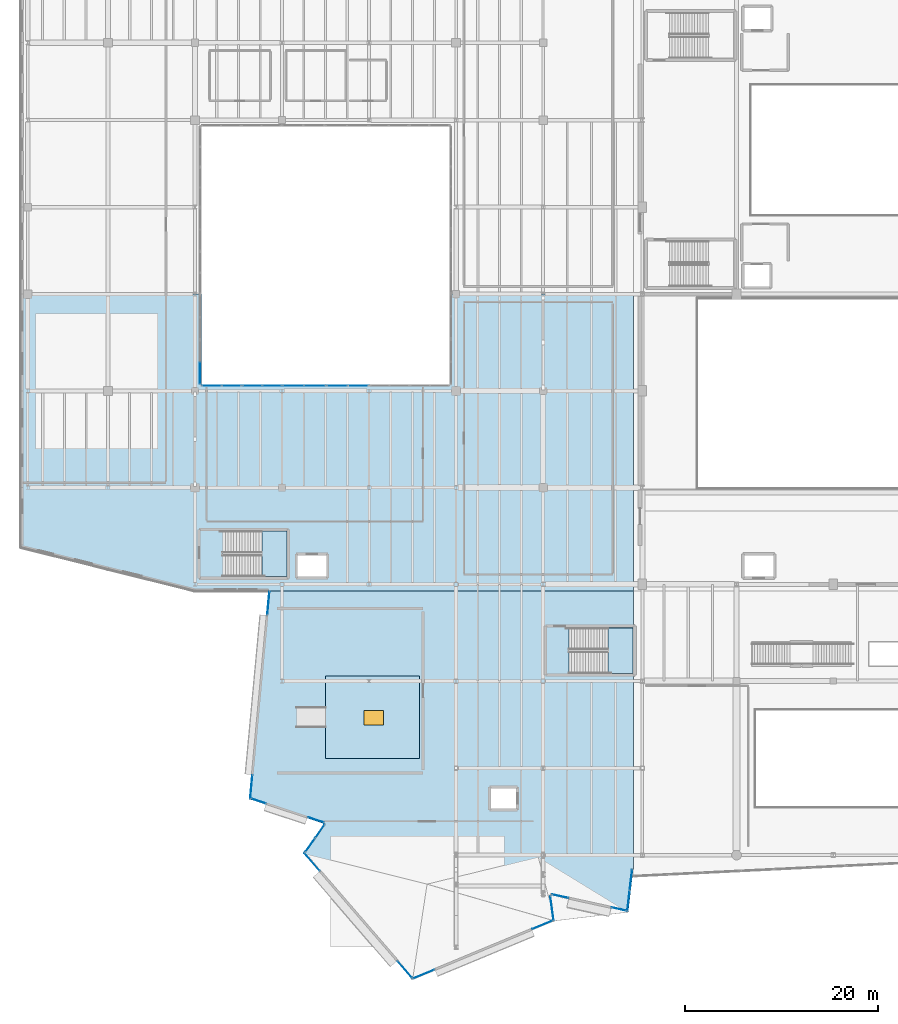
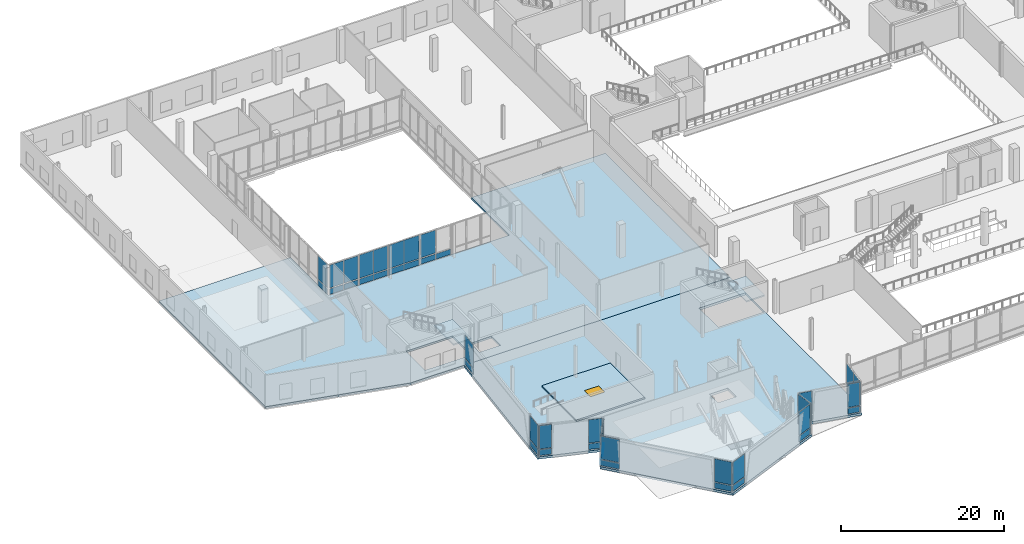
# One storey, part 46 of 73: 47 plates, 5 slabs, 1 door, 1 opening, 20 elements without a shape of their own.
"""IFC4 building model written with IfcOpenShell, lengths in metres."""

import ifcopenshell
import ifcopenshell.guid

model = None  # the IFC model being written
_history = None  # IfcOwnerHistory: only IFC2X3 demands one
_inside = {}  # id of a spatial element -> (the spatial element, [elements in it])
_under = {}  # id of a project, library or spatial element -> (it, [spatial elements below it])
_declared = {}  # id of a project -> (the project, [libraries it declares])
_typed = {}  # id of a type object -> (the type object, [elements of that type])
_made_of = {}  # id of a material, layer set ... -> (it, [elements and type objects made of it])


def new_model(schema):
    """Start an empty IFC model of exactly this schema.

    Asked for "IFC4X3", IfcOpenShell would pick the latest addendum, in which some entities
    have other attributes; the version numbers below select the first issue.
    IFC2X3 requires an IfcOwnerHistory on every rooted entity: one is made here for all.
    """
    global model, _history
    if schema == "IFC4X3":
        model = ifcopenshell.file(schema_version=(4, 3, 0, 0))
    else:
        model = ifcopenshell.file(schema=schema)
    _inside.clear()
    _under.clear()
    _declared.clear()
    _typed.clear()
    _made_of.clear()
    _history = None
    if model.schema == "IFC2X3":
        org = make("IfcOrganization", Name="unknown")
        user = make(
            "IfcPersonAndOrganization",
            ThePerson=make("IfcPerson", FamilyName="unknown"),
            TheOrganization=org,
        )
        app = make(
            "IfcApplication",
            ApplicationDeveloper=org,
            Version="unknown",
            ApplicationFullName="unknown",
            ApplicationIdentifier="unknown",
        )
        _history = make(
            "IfcOwnerHistory",
            OwningUser=user,
            OwningApplication=app,
            ChangeAction="ADDED",
            CreationDate=0,
        )
    return model


def make(cls, **values):
    """One entity of the class cls with the attributes given. An attribute that is None is left unset."""
    return model.create_entity(
        cls, **{name: value for name, value in values.items() if value is not None}
    )


def rooted(cls, **values):
    """An entity with a GlobalId (a new one), such as an element, a storey or a relation."""
    return make(cls, GlobalId=ifcopenshell.guid.new(), OwnerHistory=_history, **values)


def si_unit(unit_type, name, prefix=None):
    """IfcSIUnit, for example si_unit("LENGTHUNIT", "METRE", prefix="MILLI")."""
    return make("IfcSIUnit", UnitType=unit_type, Prefix=prefix, Name=name)


def assignment(units):
    """IfcUnitAssignment: the units of a project."""
    return None if units is None else make("IfcUnitAssignment", Units=units)


def point(xyz):
    """IfcCartesianPoint."""
    return None if xyz is None else make("IfcCartesianPoint", Coordinates=xyz)


def direction(xyz):
    """IfcDirection."""
    return None if xyz is None else make("IfcDirection", DirectionRatios=xyz)


def frame(location, z_axis=None, x_axis=None):
    """IfcAxis2Placement3D, a coordinate frame: its origin and axes. An axis left out is left unset."""
    return make(
        "IfcAxis2Placement3D",
        Location=point(location),
        Axis=direction(z_axis),
        RefDirection=direction(x_axis),
    )


def frame_2d(location, x_axis=None):
    """IfcAxis2Placement2D, a coordinate frame in the plane: its origin and x axis."""
    return make(
        "IfcAxis2Placement2D", Location=point(location), RefDirection=direction(x_axis)
    )


def origin():
    """The frame at (0, 0, 0) with its axes left unset."""
    return frame((0.0, 0.0, 0.0))


def origin_2d():
    """The frame at (0, 0) in the plane with its x axis left unset."""
    return frame_2d((0.0, 0.0))


def place(relative_to, where):
    """IfcLocalPlacement: puts the frame where relative to a parent placement (None: the world)."""
    return make(
        "IfcLocalPlacement", PlacementRelTo=relative_to, RelativePlacement=where
    )


def context(
    kind, dimensions, precision=None, world=None, true_north=None, identifier=None
):
    """IfcGeometricRepresentationContext, for example the 3D "Model" context."""
    return make(
        "IfcGeometricRepresentationContext",
        ContextIdentifier=identifier,
        ContextType=kind,
        CoordinateSpaceDimension=dimensions,
        Precision=precision,
        WorldCoordinateSystem=world,
        TrueNorth=true_north,
    )


def subcontext(parent, identifier, kind, view, scale=None):
    """IfcGeometricRepresentationSubContext, for example "Body" below "Model"."""
    return make(
        "IfcGeometricRepresentationSubContext",
        ContextIdentifier=identifier,
        ContextType=kind,
        ParentContext=parent,
        TargetScale=scale,
        TargetView=view,
    )


def project(units=None, contexts=None):
    """IfcProject with its units and contexts."""
    return rooted(
        "IfcProject",
        Name="project",
        RepresentationContexts=contexts,
        UnitsInContext=assignment(units),
    )


def spatial(cls, under=None, at=None, **own):
    """A site, building, storey or space (cls), placed at a placement, below another one or the project."""
    s = rooted(cls, ObjectPlacement=at, **own)
    if under is not None:
        _under.setdefault(under.id(), (under, []))[1].append(s)
    return s


def polyline(points):
    """IfcPolyline through the points."""
    return make("IfcPolyline", Points=[point(p) for p in points])


def profile(cls, at=None, kind="AREA", **sizes):
    """A parametric profile (cls). Its sizes go by their IFC names, for example OverallWidth=200.0."""
    return make(cls, ProfileType=kind, Position=at, **sizes)


def rectangle(**sizes):
    """IfcRectangleProfileDef."""
    return profile("IfcRectangleProfileDef", **sizes)


def outline(outer, holes=None, kind="AREA"):
    """IfcArbitraryClosedProfileDef: a profile drawn as a closed curve; with holes, ...WithVoids."""
    if holes is None:
        return make("IfcArbitraryClosedProfileDef", ProfileType=kind, OuterCurve=outer)
    return make(
        "IfcArbitraryProfileDefWithVoids",
        ProfileType=kind,
        OuterCurve=outer,
        InnerCurves=holes,
    )


def extrude(swept, where, along, depth):
    """IfcExtrudedAreaSolid: the profile swept, set in the frame where, extruded along a direction by depth."""
    return make(
        "IfcExtrudedAreaSolid",
        SweptArea=swept,
        Position=where,
        ExtrudedDirection=direction(along),
        Depth=depth,
    )


def shape(context_of_items, identifier, shape_type, items):
    """IfcShapeRepresentation: the items that make up one representation, for example the "Body"."""
    return make(
        "IfcShapeRepresentation",
        ContextOfItems=context_of_items,
        RepresentationIdentifier=identifier,
        RepresentationType=shape_type,
        Items=items,
    )


def material(Name=None, Category=None):
    """IfcMaterial."""
    return make("IfcMaterial", Name=Name, Category=Category)


def layer(
    of_material, thickness, ventilated=None, Name=None, Category=None, Priority=None
):
    """IfcMaterialLayer: one layer of a wall or slab, of a material (None: an air gap)."""
    return make(
        "IfcMaterialLayer",
        Material=of_material,
        LayerThickness=thickness,
        IsVentilated=ventilated,
        Name=Name,
        Category=Category,
        Priority=Priority,
    )


def layer_set(layers, Name=None):
    """IfcMaterialLayerSet."""
    return make("IfcMaterialLayerSet", MaterialLayers=layers, LayerSetName=Name)


def made_of(thing, what):
    """Note that an element or type object is made of a material, layer set ...; save() writes the relation."""
    if what is not None:
        _made_of.setdefault(what.id(), (what, []))[1].append(thing)
    return thing


def type_object(cls, material=None, **own):
    """A type object (cls), such as IfcWallType, which elements share."""
    return made_of(rooted(cls, **own), material)


def element(
    cls,
    number,
    at=None,
    inside=None,
    cuts=None,
    type_object=None,
    material=None,
    context=None,
    identifier="Body",
    shape_type=None,
    held_by="IfcProductDefinitionShape",
    body=None,
    shapes=None,
    **own,
):
    """One element of the class cls, such as IfcWall. Its Tag is "e" and its number.

    at: its placement. inside: the storey or other place that contains it. cuts: it is an
    opening in that element (IfcRelVoidsElement). A single representation is given by context,
    identifier, shape_type and body (its items); several are given by shapes. held_by: the class
    of the entity that holds the representations. save() writes the other relations.
    """
    e = rooted(cls, Tag="e%d" % number, ObjectPlacement=at, **own)
    if body is not None:
        shapes = [shape(context, identifier, shape_type, body)]
    if shapes is not None:
        e.Representation = make(held_by, Representations=shapes)
    if inside is not None:
        _inside.setdefault(inside.id(), (inside, []))[1].append(e)
    if cuts is not None:
        rooted(
            "IfcRelVoidsElement", RelatingBuildingElement=cuts, RelatedOpeningElement=e
        )
    if type_object is not None:
        _typed.setdefault(type_object.id(), (type_object, []))[1].append(e)
    return made_of(e, material)


def fill(opening, filler):
    """IfcRelFillsElement: the door or window that sits in an opening."""
    return rooted(
        "IfcRelFillsElement",
        RelatingOpeningElement=opening,
        RelatedBuildingElement=filler,
    )


def aggregate(whole, parts):
    """IfcRelAggregates: a whole, such as a stair, and the parts it consists of."""
    return rooted("IfcRelAggregates", RelatingObject=whole, RelatedObjects=parts)


def save(model, path):
    """Write the relations noted so far, then the file.

    IfcRelAggregates (storeys below a building ...), IfcRelContainedInSpatialStructure (elements
    in a storey), IfcRelDefinesByType, IfcRelAssociatesMaterial and IfcRelDeclares: one each for
    every whole, place, type object, material and project.
    """
    for whole, parts in _under.values():
        aggregate(whole, parts)
    for where, things in _inside.values():
        rooted(
            "IfcRelContainedInSpatialStructure",
            RelatedElements=things,
            RelatingStructure=where,
        )
    for kind, things in _typed.values():
        rooted("IfcRelDefinesByType", RelatedObjects=things, RelatingType=kind)
    for what, things in _made_of.values():
        rooted("IfcRelAssociatesMaterial", RelatedObjects=things, RelatingMaterial=what)
    for by, libraries in _declared.values():
        rooted("IfcRelDeclares", RelatingContext=by, RelatedDefinitions=libraries)
    model.write(path)


model = new_model("IFC4")

# Units and contexts
model_context = context("Model", 3, precision=1e-05, world=origin(), true_north=direction((0.0, 1.0)))
body_context = subcontext(model_context, "Body", "Model", "MODEL_VIEW")
ifc_project = project(units=[si_unit("LENGTHUNIT", "METRE"), si_unit("AREAUNIT", "SQUARE_METRE"), si_unit("VOLUMEUNIT", "CUBIC_METRE"), si_unit("PLANEANGLEUNIT", "RADIAN"), si_unit("MASSUNIT", "GRAM", prefix="KILO")], contexts=[model_context])

# Site, building, storey
site_placement = place(None, origin())
site = spatial("IfcSite", under=ifc_project, at=site_placement, CompositionType="ELEMENT")
building_placement = place(site_placement, origin())
building = spatial("IfcBuilding", under=site, at=building_placement, Name="Trimount Lyric Opera House", CompositionType="ELEMENT")
storey_placement = place(building_placement, frame((0.0, 0.0, 10.0)))
storey = spatial("IfcBuildingStorey", under=building, at=storey_placement, Name="L02", CompositionType="ELEMENT", Elevation=10.0)

# Curtain wall, plates
ifc_material_1 = material(Name="Thermally Broken Aluminium and Low-E Glass", Category="aluminium")
curtain_wall_type_1 = type_object("IfcCurtainWallType", Name="CW-03", PredefinedType="NOTDEFINED", material=ifc_material_1)
curtain_wall_1_placement = place(storey_placement, origin())
curtain_wall_1 = element("IfcCurtainWall", 1, at=curtain_wall_1_placement, inside=storey, type_object=curtain_wall_type_1, Name="L02 curtain wall 198", PredefinedType="NOTDEFINED")
ifc_material_2 = material(Name="Triple Low-E Acoustic Laminated Glass", Category="glass")
ifc_layer_1 = layer(ifc_material_2, 0.035888671875)
ifc_layer_set_1 = layer_set([ifc_layer_1], Name="CWP-01")
plate_type_1 = type_object("IfcPlateType", Name="CWP-01", PredefinedType="CURTAIN_PANEL", material=ifc_layer_set_1)
plate_1_placement = place(storey_placement, frame((19.737548828125, 74.5400390625, 0.159912109375), z_axis=(0.0, 0.0, 1.0), x_axis=(1.0, 0.0, 0.0)))
plate_1 = element("IfcPlate", 2, at=plate_1_placement, type_object=plate_type_1, Name="CW-03 panel 1.1", PredefinedType="CURTAIN_PANEL", context=body_context, shape_type="SweptSolid", body=[
    extrude(rectangle(XDim=1.97509765625, YDim=0.035888671875, at=origin_2d()), origin(), (0.0, 0.0, 1.0), 0.81005859375),
])
plate_2_placement = place(storey_placement, frame((21.782470703125, 74.5400390625, 0.159912109375), z_axis=(0.0, 0.0, 1.0), x_axis=(1.0, 0.0, 0.0)))
plate_2 = element("IfcPlate", 3, at=plate_2_placement, type_object=plate_type_1, Name="CW-03 panel 2.1", PredefinedType="CURTAIN_PANEL", context=body_context, shape_type="SweptSolid", body=[
    extrude(rectangle(XDim=1.97509765625, YDim=0.035888671875, at=origin_2d()), origin(), (0.0, 0.0, 1.0), 0.81005859375),
])

curtain_wall_2_placement = place(storey_placement, origin())
curtain_wall_2 = element("IfcCurtainWall", 4, at=curtain_wall_2_placement, inside=storey, type_object=curtain_wall_type_1, Name="L02 curtain wall 199", PredefinedType="NOTDEFINED")
plate_3_placement = place(storey_placement, frame((23.9638671875, 74.5400390625, 0.13525390625), z_axis=(0.0, 0.0, 1.0), x_axis=(1.0, 0.0, 0.0)))
plate_3 = element("IfcPlate", 5, at=plate_3_placement, type_object=plate_type_1, Name="CW-03 panel 1.1", PredefinedType="CURTAIN_PANEL", context=body_context, shape_type="SweptSolid", body=[
    extrude(rectangle(XDim=1.9375, YDim=0.035888671875, at=origin_2d()), origin(), (0.0, 0.0, 1.0), 0.847412109375),
])
plate_4_placement = place(storey_placement, frame((25.96630859375, 74.5400390625, 0.13525390625), z_axis=(0.0, 0.0, 1.0), x_axis=(1.0, 0.0, 0.0)))
plate_4 = element("IfcPlate", 6, at=plate_4_placement, type_object=plate_type_1, Name="CW-03 panel 2.1", PredefinedType="CURTAIN_PANEL", context=body_context, shape_type="SweptSolid", body=[
    extrude(rectangle(XDim=1.9375, YDim=0.035888671875, at=origin_2d()), origin(), (0.0, 0.0, 1.0), 0.847412109375),
])

curtain_wall_3_placement = place(storey_placement, origin())
curtain_wall_3 = element("IfcCurtainWall", 7, at=curtain_wall_3_placement, inside=storey, type_object=curtain_wall_type_1, Name="L02 curtain wall 200", PredefinedType="NOTDEFINED")
plate_5_placement = place(storey_placement, frame((28.20751953125, 74.5400390625, 0.114990234375), z_axis=(0.0, 0.0, 1.0), x_axis=(1.0, 0.0, 0.0)))
plate_5 = element("IfcPlate", 8, at=plate_5_placement, type_object=plate_type_1, Name="CW-03 panel 1.1", PredefinedType="CURTAIN_PANEL", context=body_context, shape_type="SweptSolid", body=[
    extrude(rectangle(XDim=2.114990234375, YDim=0.035888671875, at=origin_2d()), origin(), (0.0, 0.0, 1.0), 0.87744140625),
])
plate_6_placement = place(storey_placement, frame((30.382568359375, 74.5400390625, 0.114990234375), z_axis=(0.0, 0.0, 1.0), x_axis=(1.0, 0.0, 0.0)))
plate_6 = element("IfcPlate", 9, at=plate_6_placement, type_object=plate_type_1, Name="CW-03 panel 2.1", PredefinedType="CURTAIN_PANEL", context=body_context, shape_type="SweptSolid", body=[
    extrude(rectangle(XDim=2.114990234375, YDim=0.035888671875, at=origin_2d()), origin(), (0.0, 0.0, 1.0), 0.87744140625),
])

curtain_wall_4_placement = place(storey_placement, origin())
curtain_wall_4 = element("IfcCurtainWall", 10, at=curtain_wall_4_placement, inside=storey, type_object=curtain_wall_type_1, Name="L02 curtain wall 201", PredefinedType="NOTDEFINED")
plate_7_placement = place(storey_placement, frame((32.7099609375, 74.5400390625, 0.159912109375), z_axis=(0.0, 0.0, 1.0), x_axis=(1.0, 0.0, 0.0)))
plate_7 = element("IfcPlate", 11, at=plate_7_placement, type_object=plate_type_1, Name="CW-03 panel 1.1", PredefinedType="CURTAIN_PANEL", context=body_context, shape_type="SweptSolid", body=[
    extrude(rectangle(XDim=2.10009765625, YDim=0.035888671875, at=origin_2d()), origin(), (0.0, 0.0, 1.0), 0.81005859375),
])
plate_8_placement = place(storey_placement, frame((34.8798828125, 74.5400390625, 0.159912109375), z_axis=(0.0, 0.0, 1.0), x_axis=(1.0, 0.0, 0.0)))
plate_8 = element("IfcPlate", 12, at=plate_8_placement, type_object=plate_type_1, Name="CW-03 panel 2.1", PredefinedType="CURTAIN_PANEL", context=body_context, shape_type="SweptSolid", body=[
    extrude(rectangle(XDim=2.10009765625, YDim=0.035888671875, at=origin_2d()), origin(), (0.0, 0.0, 1.0), 0.81005859375),
])

# Curtain wall, plate
curtain_wall_5_placement = place(storey_placement, origin())
curtain_wall_5 = element("IfcCurtainWall", 13, at=curtain_wall_5_placement, inside=storey, type_object=curtain_wall_type_1, Name="L02 curtain wall 221", PredefinedType="NOTDEFINED")
plate_9_placement = place(storey_placement, frame((18.5400390625, 75.83740234375, 0.114990234375), z_axis=(0.0, 0.0, 1.0), x_axis=(0.0, -1.0, 0.0)))
plate_9 = element("IfcPlate", 14, at=plate_9_placement, type_object=plate_type_1, Name="CW-03 panel 2.1", PredefinedType="CURTAIN_PANEL", context=body_context, shape_type="SweptSolid", body=[
    extrude(rectangle(XDim=2.195068359375, YDim=0.035888671875, at=origin_2d()), origin(), (0.0, 0.0, 1.0), 0.87744140625),
])

# Curtain wall, plates
ifc_material_3 = material(Name="Thermally Broken Aluminium and Low-E Glass", Category="aluminium")
curtain_wall_type_2 = type_object("IfcCurtainWallType", Name="CW-02", PredefinedType="NOTDEFINED", material=ifc_material_3)
curtain_wall_6_placement = place(storey_placement, origin())
curtain_wall_6 = element("IfcCurtainWall", 15, at=curtain_wall_6_placement, inside=storey, type_object=curtain_wall_type_2, Name="L02 crystal fold glazed slit 167", PredefinedType="NOTDEFINED")
ifc_material_4 = material(Name="Ceramic-Fritted Starphire Laminated Glass", Category="glass")
ifc_layer_2 = layer(ifc_material_4, 0.031982421875)
ifc_layer_set_2 = layer_set([ifc_layer_2], Name="CWP-02")
plate_type_2 = type_object("IfcPlateType", Name="CWP-02", PredefinedType="CURTAIN_PANEL", material=ifc_layer_set_2)
plate_10_placement = place(storey_placement, frame((23.826904296875, 33.049560546875, 0.114990234375), z_axis=(0.0, 0.0, 1.0), x_axis=(0.0924957761, 0.995713076847, 0.0)))
plate_10 = element("IfcPlate", 16, at=plate_10_placement, type_object=plate_type_2, Name="CW-02 panel 1.1", PredefinedType="CURTAIN_PANEL", context=body_context, shape_type="SweptSolid", body=[
    extrude(rectangle(XDim=2.409912109375, YDim=0.031982421875, at=origin_2d()), origin(), (0.0, 0.0, 1.0), 0.87744140625),
])
plate_11_placement = place(storey_placement, frame((23.826904296875, 33.049560546875, 1.107421875), z_axis=(0.0, 0.0, 1.0), x_axis=(0.0924957761, 0.995713076847, 0.0)))
plate_11 = element("IfcPlate", 17, at=plate_11_placement, type_object=plate_type_2, Name="CW-02 panel 1.2", PredefinedType="CURTAIN_PANEL", context=body_context, shape_type="SweptSolid", body=[
    extrude(rectangle(XDim=2.409912109375, YDim=0.031982421875, at=origin_2d()), origin(), (0.0, 0.0, 1.0), 3.49755859375),
])
aggregate(curtain_wall_6, [plate_10, plate_11])

curtain_wall_7_placement = place(storey_placement, origin())
curtain_wall_7 = element("IfcCurtainWall", 18, at=curtain_wall_7_placement, inside=storey, type_object=curtain_wall_type_2, Name="L02 crystal fold glazed slit 168", PredefinedType="NOTDEFINED")
plate_12_placement = place(storey_placement, frame((25.592529296875, 52.050537109375, 0.159912109375), z_axis=(0.0, 0.0, 1.0), x_axis=(0.092887653861, 0.995676595969, 0.0)))
plate_12 = element("IfcPlate", 19, at=plate_12_placement, type_object=plate_type_2, Name="CW-02 panel 1.1", PredefinedType="CURTAIN_PANEL", context=body_context, shape_type="SweptSolid", body=[
    extrude(rectangle(XDim=2.389892578125, YDim=0.031982421875, at=origin_2d()), origin(), (0.0, 0.0, 1.0), 0.81005859375),
])
plate_13_placement = place(storey_placement, frame((25.592529296875, 52.050537109375, 1.1298828125), z_axis=(0.0, 0.0, 1.0), x_axis=(0.092887653861, 0.995676595969, 0.0)))
plate_13 = element("IfcPlate", 20, at=plate_13_placement, type_object=plate_type_2, Name="CW-02 panel 1.2", PredefinedType="CURTAIN_PANEL", context=body_context, shape_type="SweptSolid", body=[
    extrude(rectangle(XDim=2.389892578125, YDim=0.031982421875, at=origin_2d()), origin(), (0.0, 0.0, 1.0), 3.429931640625),
])
aggregate(curtain_wall_7, [plate_12, plate_13])

curtain_wall_8_placement = place(storey_placement, origin())
curtain_wall_8 = element("IfcCurtainWall", 21, at=curtain_wall_8_placement, inside=storey, type_object=curtain_wall_type_2, Name="L02 crystal fold glazed slit 187", PredefinedType="NOTDEFINED")
plate_14_placement = place(storey_placement, frame((63.0791015625, 23.43359375, 0.13525390625), z_axis=(0.0, 0.0, 1.0), x_axis=(-0.116089936398, -0.993238705784, 0.0)))
plate_14 = element("IfcPlate", 22, at=plate_14_placement, type_object=plate_type_2, Name="CW-02 panel 1.1", PredefinedType="CURTAIN_PANEL", context=body_context, shape_type="SweptSolid", body=[
    extrude(rectangle(XDim=2.14208984375, YDim=0.031982421875, at=origin_2d()), origin(), (0.0, 0.0, 1.0), 0.847412109375),
])
plate_15_placement = place(storey_placement, frame((63.0791015625, 23.43359375, 1.11767578125), z_axis=(0.0, 0.0, 1.0), x_axis=(-0.116089936398, -0.993238705784, 0.0)))
plate_15 = element("IfcPlate", 23, at=plate_15_placement, type_object=plate_type_2, Name="CW-02 panel 1.2", PredefinedType="CURTAIN_PANEL", context=body_context, shape_type="SweptSolid", body=[
    extrude(rectangle(XDim=2.14208984375, YDim=0.031982421875, at=origin_2d()), origin(), (0.0, 0.0, 1.0), 3.467529296875),
])
plate_16_placement = place(storey_placement, frame((62.822998046875, 21.241455078125, 0.13525390625), z_axis=(0.0, 0.0, 1.0), x_axis=(-0.116089936398, -0.993238705784, 0.0)))
plate_16 = element("IfcPlate", 24, at=plate_16_placement, type_object=plate_type_2, Name="CW-02 panel 2.1", PredefinedType="CURTAIN_PANEL", context=body_context, shape_type="SweptSolid", body=[
    extrude(rectangle(XDim=2.14208984375, YDim=0.031982421875, at=origin_2d()), origin(), (0.0, 0.0, 1.0), 0.847412109375),
])
plate_17_placement = place(storey_placement, frame((62.822998046875, 21.241455078125, 1.11767578125), z_axis=(0.0, 0.0, 1.0), x_axis=(-0.116089936398, -0.993238705784, 0.0)))
plate_17 = element("IfcPlate", 25, at=plate_17_placement, type_object=plate_type_2, Name="CW-02 panel 2.2", PredefinedType="CURTAIN_PANEL", context=body_context, shape_type="SweptSolid", body=[
    extrude(rectangle(XDim=2.14208984375, YDim=0.031982421875, at=origin_2d()), origin(), (0.0, 0.0, 1.0), 3.467529296875),
])
aggregate(curtain_wall_8, [plate_14, plate_15, plate_16, plate_17])

curtain_wall_9_placement = place(storey_placement, origin())
curtain_wall_9 = element("IfcCurtainWall", 26, at=curtain_wall_9_placement, inside=storey, type_object=curtain_wall_type_2, Name="L02 crystal fold glazed slit 188", PredefinedType="NOTDEFINED")
plate_18_placement = place(storey_placement, frame((61.826416015625, 20.426025390625, 0.114990234375), z_axis=(0.0, 0.0, 1.0), x_axis=(-0.976879858293, 0.213789013894, 0.0)))
plate_18 = element("IfcPlate", 27, at=plate_18_placement, type_object=plate_type_2, Name="CW-02 panel 1.1", PredefinedType="CURTAIN_PANEL", context=body_context, shape_type="SweptSolid", body=[
    extrude(rectangle(XDim=1.49853515625, YDim=0.031982421875, at=origin_2d()), origin(), (0.0, 0.0, 1.0), 0.87744140625),
])
plate_19_placement = place(storey_placement, frame((61.826416015625, 20.426025390625, 1.107421875), z_axis=(0.0, 0.0, 1.0), x_axis=(-0.976879858293, 0.213789013894, 0.0)))
plate_19 = element("IfcPlate", 28, at=plate_19_placement, type_object=plate_type_2, Name="CW-02 panel 1.2", PredefinedType="CURTAIN_PANEL", context=body_context, shape_type="SweptSolid", body=[
    extrude(rectangle(XDim=1.49853515625, YDim=0.031982421875, at=origin_2d()), origin(), (0.0, 0.0, 1.0), 3.49755859375),
])
aggregate(curtain_wall_9, [plate_18, plate_19])

curtain_wall_10_placement = place(storey_placement, origin())
curtain_wall_10 = element("IfcCurtainWall", 29, at=curtain_wall_10_placement, inside=storey, type_object=curtain_wall_type_2, Name="L02 crystal fold glazed slit 189", PredefinedType="NOTDEFINED")
plate_20_placement = place(storey_placement, frame((55.761962890625, 21.75244140625, 0.159912109375), z_axis=(0.0, 0.0, 1.0), x_axis=(-0.97691427285, 0.213631700602, 0.0)))
plate_20 = element("IfcPlate", 30, at=plate_20_placement, type_object=plate_type_2, Name="CW-02 panel 1.1", PredefinedType="CURTAIN_PANEL", context=body_context, shape_type="SweptSolid", body=[
    extrude(rectangle(XDim=1.690185546875, YDim=0.031982421875, at=origin_2d()), origin(), (0.0, 0.0, 1.0), 0.81005859375),
])
plate_21_placement = place(storey_placement, frame((55.761962890625, 21.75244140625, 1.1298828125), z_axis=(0.0, 0.0, 1.0), x_axis=(-0.97691427285, 0.213631700602, 0.0)))
plate_21 = element("IfcPlate", 31, at=plate_21_placement, type_object=plate_type_2, Name="CW-02 panel 1.2", PredefinedType="CURTAIN_PANEL", context=body_context, shape_type="SweptSolid", body=[
    extrude(rectangle(XDim=1.690185546875, YDim=0.031982421875, at=origin_2d()), origin(), (0.0, 0.0, 1.0), 3.429931640625),
])
aggregate(curtain_wall_10, [plate_20, plate_21])

curtain_wall_11_placement = place(storey_placement, origin())
curtain_wall_11 = element("IfcCurtainWall", 32, at=curtain_wall_11_placement, inside=storey, type_object=curtain_wall_type_2, Name="L02 crystal fold glazed slit 190", PredefinedType="NOTDEFINED")
plate_22_placement = place(storey_placement, frame((54.9130859375, 20.505615234375, 0.13525390625), z_axis=(0.0, 0.0, 1.0), x_axis=(0.13358920788, -0.991036792222, 0.0)))
plate_22 = element("IfcPlate", 33, at=plate_22_placement, type_object=plate_type_2, Name="CW-02 panel 1.1", PredefinedType="CURTAIN_PANEL", context=body_context, shape_type="SweptSolid", body=[
    extrude(rectangle(XDim=2.534912109375, YDim=0.031982421875, at=origin_2d()), origin(), (0.0, 0.0, 1.0), 0.847412109375),
])
plate_23_placement = place(storey_placement, frame((54.9130859375, 20.505615234375, 1.11767578125), z_axis=(0.0, 0.0, 1.0), x_axis=(0.13358920788, -0.991036792222, 0.0)))
plate_23 = element("IfcPlate", 34, at=plate_23_placement, type_object=plate_type_2, Name="CW-02 panel 1.2", PredefinedType="CURTAIN_PANEL", context=body_context, shape_type="SweptSolid", body=[
    extrude(rectangle(XDim=2.534912109375, YDim=0.031982421875, at=origin_2d()), origin(), (0.0, 0.0, 1.0), 3.467529296875),
])
aggregate(curtain_wall_11, [plate_22, plate_23])

curtain_wall_12_placement = place(storey_placement, origin())
curtain_wall_12 = element("IfcCurtainWall", 35, at=curtain_wall_12_placement, inside=storey, type_object=curtain_wall_type_2, Name="L02 crystal fold glazed slit 191", PredefinedType="NOTDEFINED")
plate_24_placement = place(storey_placement, frame((53.907470703125, 18.782470703125, 0.114990234375), z_axis=(0.0, 0.0, 1.0), x_axis=(-0.923742113571, -0.383015022702, 0.0)))
plate_24 = element("IfcPlate", 36, at=plate_24_placement, type_object=plate_type_2, Name="CW-02 panel 1.1", PredefinedType="CURTAIN_PANEL", context=body_context, shape_type="SweptSolid", body=[
    extrude(rectangle(XDim=2.232421875, YDim=0.031982421875, at=origin_2d()), origin(), (0.0, 0.0, 1.0), 0.87744140625),
])
plate_25_placement = place(storey_placement, frame((53.907470703125, 18.782470703125, 1.107421875), z_axis=(0.0, 0.0, 1.0), x_axis=(-0.923742113571, -0.383015022702, 0.0)))
plate_25 = element("IfcPlate", 37, at=plate_25_placement, type_object=plate_type_2, Name="CW-02 panel 1.2", PredefinedType="CURTAIN_PANEL", context=body_context, shape_type="SweptSolid", body=[
    extrude(rectangle(XDim=2.232421875, YDim=0.031982421875, at=origin_2d()), origin(), (0.0, 0.0, 1.0), 3.452392578125),
])
aggregate(curtain_wall_12, [plate_24, plate_25])

curtain_wall_13_placement = place(storey_placement, origin())
curtain_wall_13 = element("IfcCurtainWall", 38, at=curtain_wall_13_placement, inside=storey, type_object=curtain_wall_type_2, Name="L02 crystal fold glazed slit 192", PredefinedType="NOTDEFINED")
plate_26_placement = place(storey_placement, frame((41.62646484375, 13.6865234375, 0.159912109375), z_axis=(0.0, 0.0, 1.0), x_axis=(-0.923742113571, -0.383015022702, 0.0)))
plate_26 = element("IfcPlate", 39, at=plate_26_placement, type_object=plate_type_2, Name="CW-02 panel 1.1", PredefinedType="CURTAIN_PANEL", context=body_context, shape_type="SweptSolid", body=[
    extrude(rectangle(XDim=2.389892578125, YDim=0.031982421875, at=origin_2d()), origin(), (0.0, 0.0, 1.0), 0.81005859375),
])
plate_27_placement = place(storey_placement, frame((41.62646484375, 13.6865234375, 1.1298828125), z_axis=(0.0, 0.0, 1.0), x_axis=(-0.923742113571, -0.383015022702, 0.0)))
plate_27 = element("IfcPlate", 40, at=plate_27_placement, type_object=plate_type_2, Name="CW-02 panel 1.2", PredefinedType="CURTAIN_PANEL", context=body_context, shape_type="SweptSolid", body=[
    extrude(rectangle(XDim=2.389892578125, YDim=0.031982421875, at=origin_2d()), origin(), (0.0, 0.0, 1.0), 3.385009765625),
])
aggregate(curtain_wall_13, [plate_26, plate_27])

curtain_wall_14_placement = place(storey_placement, origin())
curtain_wall_14 = element("IfcCurtainWall", 41, at=curtain_wall_14_placement, inside=storey, type_object=curtain_wall_type_2, Name="L02 crystal fold glazed slit 193", PredefinedType="NOTDEFINED")
plate_28_placement = place(storey_placement, frame((39.699951171875, 14.196044921875, 0.13525390625), z_axis=(0.0, 0.0, 1.0), x_axis=(-0.652956418534, 0.757395481565, 0.0)))
plate_28 = element("IfcPlate", 42, at=plate_28_placement, type_object=plate_type_2, Name="CW-02 panel 1.1", PredefinedType="CURTAIN_PANEL", context=body_context, shape_type="SweptSolid", body=[
    extrude(rectangle(XDim=2.225341796875, YDim=0.031982421875, at=origin_2d()), origin(), (0.0, 0.0, 1.0), 0.847412109375),
])
plate_29_placement = place(storey_placement, frame((39.699951171875, 14.196044921875, 1.11767578125), z_axis=(0.0, 0.0, 1.0), x_axis=(-0.652956418534, 0.757395481565, 0.0)))
plate_29 = element("IfcPlate", 43, at=plate_29_placement, type_object=plate_type_2, Name="CW-02 panel 1.2", PredefinedType="CURTAIN_PANEL", context=body_context, shape_type="SweptSolid", body=[
    extrude(rectangle(XDim=2.225341796875, YDim=0.031982421875, at=origin_2d()), origin(), (0.0, 0.0, 1.0), 3.422607421875),
])
aggregate(curtain_wall_14, [plate_28, plate_29])

curtain_wall_15_placement = place(storey_placement, origin())
curtain_wall_15 = element("IfcCurtainWall", 44, at=curtain_wall_15_placement, inside=storey, type_object=curtain_wall_type_2, Name="L02 crystal fold glazed slit 194", PredefinedType="NOTDEFINED")
plate_30_placement = place(storey_placement, frame((30.109619140625, 25.31396484375, 0.114990234375), z_axis=(0.0, 0.0, 1.0), x_axis=(-0.653228814377, 0.757160561616, 0.0)))
plate_30 = element("IfcPlate", 45, at=plate_30_placement, type_object=plate_type_2, Name="CW-02 panel 1.1", PredefinedType="CURTAIN_PANEL", context=body_context, shape_type="SweptSolid", body=[
    extrude(rectangle(XDim=2.410400390625, YDim=0.031982421875, at=origin_2d()), origin(), (0.0, 0.0, 1.0), 0.87744140625),
])
plate_31_placement = place(storey_placement, frame((30.109619140625, 25.31396484375, 1.107421875), z_axis=(0.0, 0.0, 1.0), x_axis=(-0.653228814377, 0.757160561616, 0.0)))
plate_31 = element("IfcPlate", 46, at=plate_31_placement, type_object=plate_type_2, Name="CW-02 panel 1.2", PredefinedType="CURTAIN_PANEL", context=body_context, shape_type="SweptSolid", body=[
    extrude(rectangle(XDim=2.410400390625, YDim=0.031982421875, at=origin_2d()), origin(), (0.0, 0.0, 1.0), 3.452392578125),
])
aggregate(curtain_wall_15, [plate_30, plate_31])

curtain_wall_16_placement = place(storey_placement, origin())
curtain_wall_16 = element("IfcCurtainWall", 47, at=curtain_wall_16_placement, inside=storey, type_object=curtain_wall_type_2, Name="L02 crystal fold glazed slit 195", PredefinedType="NOTDEFINED")
plate_32_placement = place(storey_placement, frame((29.910888671875, 27.02490234375, 0.159912109375), z_axis=(0.0, 0.0, 1.0), x_axis=(0.573084278085, 0.819496436973, 0.0)))
plate_32 = element("IfcPlate", 48, at=plate_32_placement, type_object=plate_type_2, Name="CW-02 panel 1.1", PredefinedType="CURTAIN_PANEL", context=body_context, shape_type="SweptSolid", body=[
    extrude(rectangle(XDim=1.67041015625, YDim=0.031982421875, at=origin_2d()), origin(), (0.0, 0.0, 1.0), 0.81005859375),
])
plate_33_placement = place(storey_placement, frame((29.910888671875, 27.02490234375, 1.1298828125), z_axis=(0.0, 0.0, 1.0), x_axis=(0.573084278085, 0.819496436973, 0.0)))
plate_33 = element("IfcPlate", 49, at=plate_33_placement, type_object=plate_type_2, Name="CW-02 panel 1.2", PredefinedType="CURTAIN_PANEL", context=body_context, shape_type="SweptSolid", body=[
    extrude(rectangle(XDim=1.67041015625, YDim=0.031982421875, at=origin_2d()), origin(), (0.0, 0.0, 1.0), 3.429931640625),
])
plate_34_placement = place(storey_placement, frame((30.908203125, 28.451171875, 0.159912109375), z_axis=(0.0, 0.0, 1.0), x_axis=(0.573084278085, 0.819496436973, 0.0)))
plate_34 = element("IfcPlate", 50, at=plate_34_placement, type_object=plate_type_2, Name="CW-02 panel 2.1", PredefinedType="CURTAIN_PANEL", context=body_context, shape_type="SweptSolid", body=[
    extrude(rectangle(XDim=1.67041015625, YDim=0.031982421875, at=origin_2d()), origin(), (0.0, 0.0, 1.0), 0.81005859375),
])
plate_35_placement = place(storey_placement, frame((30.908203125, 28.451171875, 1.1298828125), z_axis=(0.0, 0.0, 1.0), x_axis=(0.573084278085, 0.819496436973, 0.0)))
plate_35 = element("IfcPlate", 51, at=plate_35_placement, type_object=plate_type_2, Name="CW-02 panel 2.2", PredefinedType="CURTAIN_PANEL", context=body_context, shape_type="SweptSolid", body=[
    extrude(rectangle(XDim=1.67041015625, YDim=0.031982421875, at=origin_2d()), origin(), (0.0, 0.0, 1.0), 3.429931640625),
])
aggregate(curtain_wall_16, [plate_32, plate_33, plate_34, plate_35])

curtain_wall_17_placement = place(storey_placement, origin())
curtain_wall_17 = element("IfcCurtainWall", 52, at=curtain_wall_17_placement, inside=storey, type_object=curtain_wall_type_2, Name="L02 crystal fold glazed slit 196", PredefinedType="NOTDEFINED")
plate_36_placement = place(storey_placement, frame((30.501953125, 29.646484375, 0.13525390625), z_axis=(0.0, 0.0, 1.0), x_axis=(-0.950041011811, 0.312125096518, 0.0)))
plate_36 = element("IfcPlate", 53, at=plate_36_placement, type_object=plate_type_2, Name="CW-02 panel 1.1", PredefinedType="CURTAIN_PANEL", context=body_context, shape_type="SweptSolid", body=[
    extrude(rectangle(XDim=1.699462890625, YDim=0.031982421875, at=origin_2d()), origin(), (0.0, 0.0, 1.0), 0.847412109375),
])
plate_37_placement = place(storey_placement, frame((30.501953125, 29.646484375, 1.11767578125), z_axis=(0.0, 0.0, 1.0), x_axis=(-0.950041011811, 0.312125096518, 0.0)))
plate_37 = element("IfcPlate", 54, at=plate_37_placement, type_object=plate_type_2, Name="CW-02 panel 1.2", PredefinedType="CURTAIN_PANEL", context=body_context, shape_type="SweptSolid", body=[
    extrude(rectangle(XDim=1.699462890625, YDim=0.031982421875, at=origin_2d()), origin(), (0.0, 0.0, 1.0), 3.467529296875),
])
aggregate(curtain_wall_17, [plate_36, plate_37])

curtain_wall_18_placement = place(storey_placement, origin())
curtain_wall_18 = element("IfcCurtainWall", 55, at=curtain_wall_18_placement, inside=storey, type_object=curtain_wall_type_2, Name="L02 crystal fold glazed slit 197", PredefinedType="NOTDEFINED")
plate_38_placement = place(storey_placement, frame((24.589599609375, 31.590576171875, 0.114990234375), z_axis=(0.0, 0.0, 1.0), x_axis=(-0.95000863063, 0.312223640567, 0.0)))
plate_38 = element("IfcPlate", 56, at=plate_38_placement, type_object=plate_type_2, Name="CW-02 panel 1.1", PredefinedType="CURTAIN_PANEL", context=body_context, shape_type="SweptSolid", body=[
    extrude(rectangle(XDim=1.529541015625, YDim=0.031982421875, at=origin_2d()), origin(), (0.0, 0.0, 1.0), 0.87744140625),
])
plate_39_placement = place(storey_placement, frame((24.589599609375, 31.590576171875, 1.107421875), z_axis=(0.0, 0.0, 1.0), x_axis=(-0.95000863063, 0.312223640567, 0.0)))
plate_39 = element("IfcPlate", 57, at=plate_39_placement, type_object=plate_type_2, Name="CW-02 panel 1.2", PredefinedType="CURTAIN_PANEL", context=body_context, shape_type="SweptSolid", body=[
    extrude(rectangle(XDim=1.529541015625, YDim=0.031982421875, at=origin_2d()), origin(), (0.0, 0.0, 1.0), 3.49755859375),
])
aggregate(curtain_wall_18, [plate_38, plate_39])

# Plate
ifc_material_5 = material(Name="Insulated Aluminium Shadow-Box Spandrel Panel", Category="aluminium")
ifc_layer_3 = layer(ifc_material_5, 0.0419921875)
ifc_layer_set_3 = layer_set([ifc_layer_3], Name="CWP-04")
plate_type_3 = type_object("IfcPlateType", Name="CWP-04", PredefinedType="CURTAIN_PANEL", material=ifc_layer_set_3)
plate_40_placement = place(storey_placement, frame((19.737548828125, 74.5400390625, 1.1298828125), z_axis=(0.0, 0.0, 1.0), x_axis=(1.0, 0.0, 0.0)))
plate_40 = element("IfcPlate", 58, at=plate_40_placement, type_object=plate_type_3, Name="CW-03 panel 1.2", PredefinedType="CURTAIN_PANEL", context=body_context, shape_type="SweptSolid", body=[
    extrude(rectangle(XDim=1.97509765625, YDim=0.035888671875, at=origin_2d()), origin(), (0.0, 0.0, 1.0), 3.429931640625),
])

plate_41_placement = place(storey_placement, frame((21.782470703125, 74.5400390625, 1.1298828125), z_axis=(0.0, 0.0, 1.0), x_axis=(1.0, 0.0, 0.0)))
plate_41 = element("IfcPlate", 59, at=plate_41_placement, type_object=plate_type_3, Name="CW-03 panel 2.2", PredefinedType="CURTAIN_PANEL", context=body_context, shape_type="SweptSolid", body=[
    extrude(rectangle(XDim=1.97509765625, YDim=0.035888671875, at=origin_2d()), origin(), (0.0, 0.0, 1.0), 3.429931640625),
])

aggregate(curtain_wall_1, [plate_1, plate_40, plate_2, plate_41])

plate_42_placement = place(storey_placement, frame((23.9638671875, 74.5400390625, 1.11767578125), z_axis=(0.0, 0.0, 1.0), x_axis=(1.0, 0.0, 0.0)))
plate_42 = element("IfcPlate", 60, at=plate_42_placement, type_object=plate_type_3, Name="CW-03 panel 1.2", PredefinedType="CURTAIN_PANEL", context=body_context, shape_type="SweptSolid", body=[
    extrude(rectangle(XDim=1.9375, YDim=0.035888671875, at=origin_2d()), origin(), (0.0, 0.0, 1.0), 3.467529296875),
])

plate_43_placement = place(storey_placement, frame((25.96630859375, 74.5400390625, 1.11767578125), z_axis=(0.0, 0.0, 1.0), x_axis=(1.0, 0.0, 0.0)))
plate_43 = element("IfcPlate", 61, at=plate_43_placement, type_object=plate_type_3, Name="CW-03 panel 2.2", PredefinedType="CURTAIN_PANEL", context=body_context, shape_type="SweptSolid", body=[
    extrude(rectangle(XDim=1.9375, YDim=0.035888671875, at=origin_2d()), origin(), (0.0, 0.0, 1.0), 3.467529296875),
])

aggregate(curtain_wall_2, [plate_3, plate_42, plate_4, plate_43])

plate_44_placement = place(storey_placement, frame((28.20751953125, 74.5400390625, 1.107421875), z_axis=(0.0, 0.0, 1.0), x_axis=(1.0, 0.0, 0.0)))
plate_44 = element("IfcPlate", 62, at=plate_44_placement, type_object=plate_type_3, Name="CW-03 panel 1.2", PredefinedType="CURTAIN_PANEL", context=body_context, shape_type="SweptSolid", body=[
    extrude(rectangle(XDim=2.114990234375, YDim=0.035888671875, at=origin_2d()), origin(), (0.0, 0.0, 1.0), 3.49755859375),
])

plate_45_placement = place(storey_placement, frame((30.382568359375, 74.5400390625, 1.107421875), z_axis=(0.0, 0.0, 1.0), x_axis=(1.0, 0.0, 0.0)))
plate_45 = element("IfcPlate", 63, at=plate_45_placement, type_object=plate_type_3, Name="CW-03 panel 2.2", PredefinedType="CURTAIN_PANEL", context=body_context, shape_type="SweptSolid", body=[
    extrude(rectangle(XDim=2.114990234375, YDim=0.035888671875, at=origin_2d()), origin(), (0.0, 0.0, 1.0), 3.49755859375),
])

aggregate(curtain_wall_3, [plate_5, plate_44, plate_6, plate_45])

plate_46_placement = place(storey_placement, frame((32.7099609375, 74.5400390625, 1.1298828125), z_axis=(0.0, 0.0, 1.0), x_axis=(1.0, 0.0, 0.0)))
plate_46 = element("IfcPlate", 64, at=plate_46_placement, type_object=plate_type_3, Name="CW-03 panel 1.2", PredefinedType="CURTAIN_PANEL", context=body_context, shape_type="SweptSolid", body=[
    extrude(rectangle(XDim=2.10009765625, YDim=0.035888671875, at=origin_2d()), origin(), (0.0, 0.0, 1.0), 3.429931640625),
])

aggregate(curtain_wall_4, [plate_7, plate_46, plate_8])

plate_47_placement = place(storey_placement, frame((18.5400390625, 75.83740234375, 1.107421875), z_axis=(0.0, 0.0, 1.0), x_axis=(0.0, -1.0, 0.0)))
plate_47 = element("IfcPlate", 65, at=plate_47_placement, type_object=plate_type_3, Name="CW-03 panel 2.2", PredefinedType="CURTAIN_PANEL", context=body_context, shape_type="SweptSolid", body=[
    extrude(rectangle(XDim=2.195068359375, YDim=0.035888671875, at=origin_2d()), origin(), (0.0, 0.0, 1.0), 3.49755859375),
])

aggregate(curtain_wall_5, [plate_9, plate_47])

# Slabs
ifc_material_6 = material(Name="Concrete C40/50", Category="concrete")
ifc_layer_4 = layer(ifc_material_6, 0.280029296875)
ifc_layer_set_4 = layer_set([ifc_layer_4], Name="SL-FL280")
slab_type_1 = type_object("IfcSlabType", Name="SL-FL280", PredefinedType="FLOOR", material=ifc_layer_set_4)
slab_1_placement = place(storey_placement, frame((0.0, 0.0, -0.280029296875)))
element("IfcSlab", 66, at=slab_1_placement, inside=storey, type_object=slab_type_1, Name="L02 floor slab L02-WEST-S", PredefinedType="FLOOR", context=body_context, shape_type="SweptSolid", body=[
    extrude(outline(polyline([(18.0, 53.320068359375), (0.0, 57.820068359375), (0.0, 84.0), (18.679931640625, 84.0), (18.679931640625, 74.679931640625), (44.320068359375, 74.679931640625), (44.320068359375, 84.0), (63.320068359375, 84.0), (63.320068359375, 53.320068359375), (18.0, 53.320068359375)]), holes=[polyline([(31.60009765625, 57.0), (28.60009765625, 57.0), (28.60009765625, 54.800048828125), (31.60009765625, 54.800048828125), (31.60009765625, 57.0)]), polyline([(27.5, 59.5), (20.89990234375, 59.5), (20.89990234375, 54.800048828125), (27.5, 54.800048828125), (27.5, 59.5)])]), origin(), (0.0, 0.0, 1.0), 0.280029296875),
])
ifc_material_7 = material(Name="Concrete C40/50", Category="concrete")
ifc_layer_5 = layer(ifc_material_7, 0.35009765625)
ifc_layer_set_5 = layer_set([ifc_layer_5], Name="SL-FL350")
slab_type_2 = type_object("IfcSlabType", Name="SL-FL350", PredefinedType="FLOOR", material=ifc_layer_set_5)
slab_2_placement = place(storey_placement, frame((0.0, 0.0, -0.35009765625)))
element("IfcSlab", 67, at=slab_2_placement, inside=storey, type_object=slab_type_2, Name="L02 floor slab L02-CRYSTAL", PredefinedType="FLOOR", context=body_context, shape_type="SweptSolid", body=[
    extrude(outline(polyline([(29.199951171875, 26.199951171875), (31.3369140625, 29.25634765625), (23.60009765625, 31.800048828125), (25.60009765625, 53.320068359375), (63.320068359375, 53.320068359375), (63.320068359375, 24.548828125), (62.800048828125, 20.10009765625), (54.84423828125, 21.84033203125), (55.199951171875, 19.199951171875), (40.5, 13.10009765625), (29.199951171875, 26.199951171875)]), holes=[polyline([(63.300048828125, 49.5), (56.699951171875, 49.5), (56.699951171875, 44.800048828125), (63.300048828125, 44.800048828125), (63.300048828125, 49.5)]), polyline([(51.199951171875, 32.89990234375), (48.60009765625, 32.89990234375), (48.60009765625, 30.800048828125), (51.199951171875, 30.800048828125), (51.199951171875, 32.89990234375)])]), origin(), (0.0, 0.0, 1.0), 0.35009765625),
])

# Stair, slab
ifc_material_8 = material(Name="Concrete C40/50", Category="concrete")
stair_type = type_object("IfcStairType", Name="STR-CORE-A", PredefinedType="TWO_QUARTER_TURN_STAIR", material=ifc_material_8)
stair_1_placement = place(storey_placement, origin())
stair_1 = element("IfcStair", 68, at=stair_1_placement, inside=storey, type_object=stair_type, Name="L02 Exit Stair ST-06", PredefinedType="TWO_QUARTER_TURN_STAIR")
ifc_material_9 = material(Name="Concrete C40/50", Category="concrete")
ifc_layer_6 = layer(ifc_material_9, 0.199951171875)
ifc_layer_set_6 = layer_set([ifc_layer_6], Name="SL-LND200")
slab_type_3 = type_object("IfcSlabType", Name="SL-LND200", PredefinedType="LANDING", material=ifc_layer_set_6)
slab_3_placement = place(storey_placement, frame((0.0, 0.0, 2.300048828125)))
slab_3 = element("IfcSlab", 69, at=slab_3_placement, type_object=slab_type_3, Name="ST-06 landing 1", PredefinedType="LANDING", context=body_context, shape_type="SweptSolid", body=[
    extrude(outline(polyline([(24.909912109375, 54.800048828125), (27.5, 54.800048828125), (27.5, 59.5), (24.909912109375, 59.5), (24.909912109375, 54.800048828125)])), origin(), (0.0, 0.0, 1.0), 0.199951171875),
])
aggregate(stair_1, [slab_3])

stair_2_placement = place(storey_placement, origin())
stair_2 = element("IfcStair", 70, at=stair_2_placement, inside=storey, type_object=stair_type, Name="L02 Exit Stair ST-07", PredefinedType="TWO_QUARTER_TURN_STAIR")
slab_4_placement = place(storey_placement, frame((0.0, 0.0, 2.300048828125)))
slab_4 = element("IfcSlab", 71, at=slab_4_placement, type_object=slab_type_3, Name="ST-07 landing 1", PredefinedType="LANDING", context=body_context, shape_type="SweptSolid", body=[
    extrude(outline(polyline([(60.7099609375, 44.800048828125), (63.300048828125, 44.800048828125), (63.300048828125, 49.5), (60.7099609375, 49.5), (60.7099609375, 44.800048828125)])), origin(), (0.0, 0.0, 1.0), 0.199951171875),
])
aggregate(stair_2, [slab_4])

# Slab, opening, door
ifc_material_10 = material(Name="Concrete C40/50", Category="concrete")
ifc_layer_7 = layer(ifc_material_10, 0.22998046875)
ifc_layer_set_7 = layer_set([ifc_layer_7], Name="SL-STG230")
slab_type_4 = type_object("IfcSlabType", Name="SL-STG230", PredefinedType="USERDEFINED", material=ifc_layer_set_7)
slab_5_placement = place(storey_placement, origin())
slab_5 = element("IfcSlab", 72, at=slab_5_placement, inside=storey, type_object=slab_type_4, Name="Studio Theatre Sprung Stage Deck", ObjectType="STAGE_DECK", PredefinedType="USERDEFINED", context=body_context, shape_type="SweptSolid", body=[
    extrude(outline(polyline([(31.5, 36.0), (41.199951171875, 36.0), (41.199951171875, 44.5), (31.5, 44.5), (31.5, 36.0)])), origin(), (0.0, 0.0, 1.0), 0.22998046875),
])
opening_placement = place(slab_5_placement, frame((36.5, 40.199951171875, 0.0)))
opening = element("IfcOpeningElement", 73, at=opening_placement, cuts=slab_5, Name="Opening DT-TR2", PredefinedType="OPENING", context=body_context, shape_type="SweptSolid", body=[
    extrude(rectangle(XDim=2.0, YDim=1.5, at=origin_2d()), frame((0.0, 0.0, -0.010009765625)), (0.0, 0.0, 1.0), 0.25),
])
ifc_material_11 = material(Name="Laminated White Oak Stage Deck")
door_type = type_object("IfcDoorType", Name="DT-TR2", OperationType="SINGLE_SWING_RIGHT", PredefinedType="TRAPDOOR", material=ifc_material_11)
door_placement = place(opening_placement, frame((0.0, 0.0, 0.179931640625)))
door = element("IfcDoor", 74, at=door_placement, inside=storey, type_object=door_type, Name="D-006", OperationType="SINGLE_SWING_RIGHT", OverallHeight=1.5, OverallWidth=2.0, PredefinedType="TRAPDOOR", context=body_context, shape_type="SweptSolid", body=[
    extrude(rectangle(XDim=2.0, YDim=1.5, at=origin_2d()), origin(), (0.0, 0.0, 1.0), 0.050048828125),
])
fill(opening, door)

save(model, "model.ifc")
